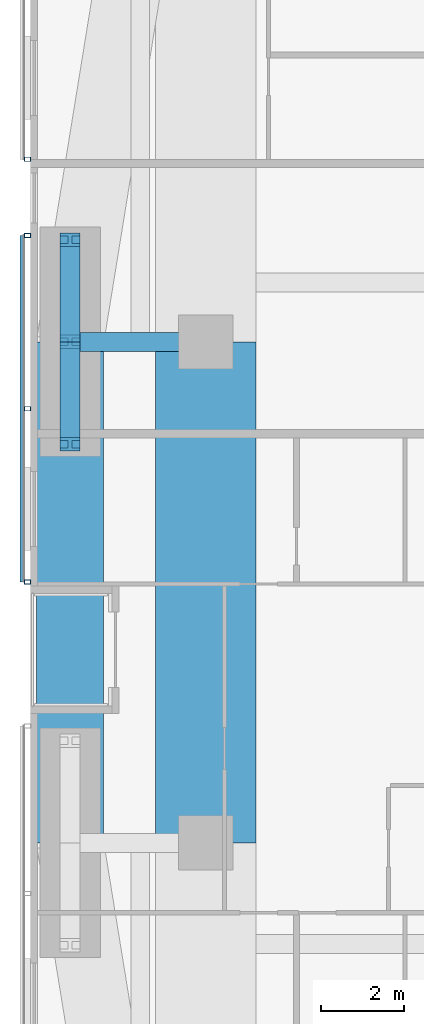
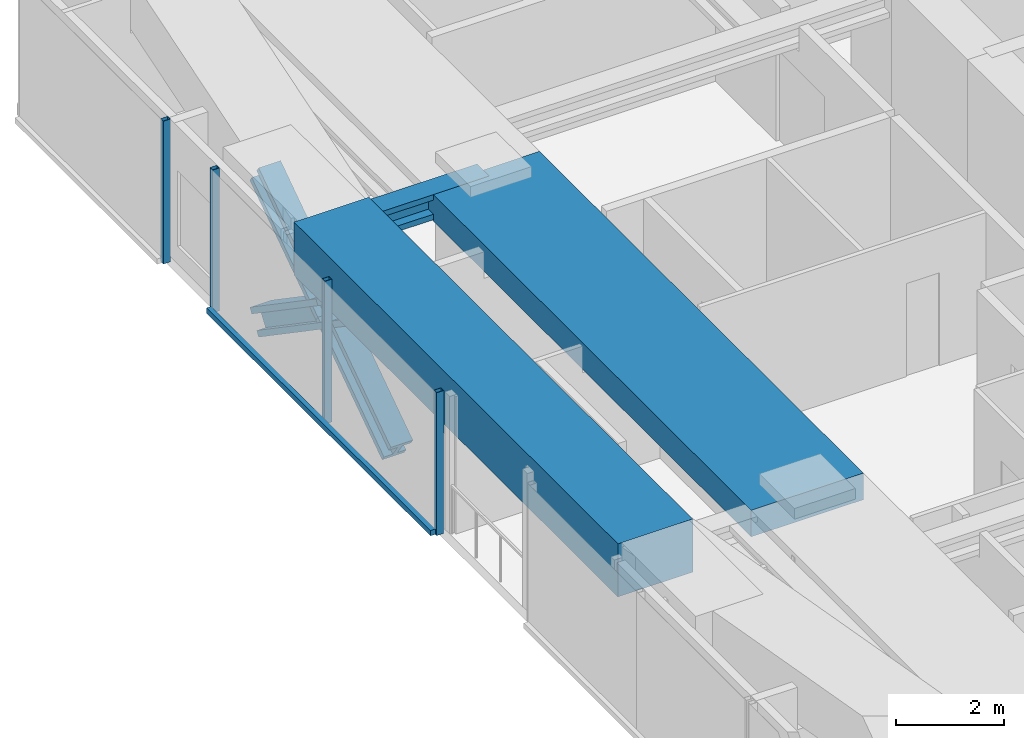
# One storey, part 6 of 23: 9 members, 3 beams, 2 elements without a shape of their own.
"""IFC4 building model written with IfcOpenShell, lengths in metres."""

from ifc_helpers import new_model, si_unit, direction, frame, origin, origin_2d, place, context, subcontext, project, spatial, rectangle, hollow_rectangle, i_section, extrude, material, material_profile, profile_set, type_object, element, aggregate, save


model = new_model("IFC4")

# Units and contexts
model_context = context("Model", 3, precision=1e-05, world=origin(), true_north=direction((0.0, 1.0)))
body_context = subcontext(model_context, "Body", "Model", "MODEL_VIEW")
ifc_project = project(units=[si_unit("LENGTHUNIT", "METRE"), si_unit("AREAUNIT", "SQUARE_METRE"), si_unit("VOLUMEUNIT", "CUBIC_METRE"), si_unit("PLANEANGLEUNIT", "RADIAN"), si_unit("MASSUNIT", "GRAM", prefix="KILO")], contexts=[model_context])

# Site, building, storey
site_placement = place(None, origin())
site = spatial("IfcSite", under=ifc_project, at=site_placement, CompositionType="ELEMENT")
building_placement = place(site_placement, origin())
building = spatial("IfcBuilding", under=site, at=building_placement, Name="Jalousie Tower", CompositionType="ELEMENT")
storey_placement = place(building_placement, frame((0.0, 0.0, 108.199951171875)))
storey = spatial("IfcBuildingStorey", under=building, at=storey_placement, Name="L29", CompositionType="ELEMENT", Elevation=108.199951171875)

# Beam
ifc_material_1 = material(Name="Steel ASTM A992 Grade 50", Category="steel")
ifc_material_profile_1 = material_profile(ifc_material_1, i_section(OverallWidth=0.45458984375, OverallDepth=0.569091796875, WebThickness=0.077880859375, FlangeThickness=0.124755859375, at=origin_2d()), Name="W14X730")
ifc_profile_set_1 = profile_set([ifc_material_profile_1], Name="Steel ASTM A992 Grade 50")
beam_type_1 = type_object("IfcBeamType", Name="LEAN COLLECTOR W14X730", PredefinedType="BEAM", material=ifc_profile_set_1)
beam_1_placement = place(storey_placement, frame((6.949951171875, 25.0, 2.825439453125), z_axis=(1.0, 0.0, 0.0), x_axis=(0.0, 1.0, 0.0)))
element("IfcBeam", 1, at=beam_1_placement, inside=storey, type_object=beam_type_1, Name="Lean collector under L30", PredefinedType="BEAM", context=body_context, shape_type="SweptSolid", body=[
    extrude(i_section(OverallWidth=0.45458984375, OverallDepth=0.569091796875, WebThickness=0.077880859375, FlangeThickness=0.124755859375, at=origin_2d()), origin(), (0.0, 0.0, 1.0), 3.25),
])

# Members
ifc_material_2 = material(Name="Steel ASTM A992 Grade 50", Category="steel")
ifc_material_profile_2 = material_profile(ifc_material_2, i_section(OverallWidth=0.472412109375, OverallDepth=0.5791015625, WebThickness=0.094970703125, FlangeThickness=0.1298828125, at=origin_2d()), Name="W14X808")
ifc_profile_set_2 = profile_set([ifc_material_profile_2], Name="Steel ASTM A992 Grade 50")
member_type_1 = type_object("IfcMemberType", Name="PERIMETER BRACE W14X808", PredefinedType="BRACE", material=ifc_profile_set_2)
for number, where, z_axis, x_axis, name in (
    (2, (6.949951171875, 22.550048828125, -0.599853515625), (0.0, 0.825539243753, 0.564344714713), (-1.0, 0.0, 0.0), "Perimeter brace 13 L29 part 1"),
    (3, (6.949951171875, 25.0, 1.074951171875), (0.0, 0.825500916831, 0.564400776321), (-1.0, 0.0, 0.0), "Perimeter brace 13 L29 part 2"),
    (4, (6.949951171875, 27.449951171875, -0.599853515625), (0.0, -0.825539243753, 0.564344714713), (1.0, 0.0, 0.0), "Perimeter brace 13 L29 part 3"),
    (5, (6.949951171875, 25.0, 1.074951171875), (0.0, -0.825500916831, 0.564400776321), (1.0, 0.0, 0.0), "Perimeter brace 13 L29 part 4"),
):
    element("IfcMember", number, at=place(storey_placement, frame(where, z_axis=z_axis, x_axis=x_axis)), inside=storey, type_object=member_type_1, Name=name, PredefinedType="BRACE", context=body_context, shape_type="SweptSolid", body=[
        extrude(i_section(OverallWidth=0.472412109375, OverallDepth=0.5791015625, WebThickness=0.094970703125, FlangeThickness=0.1298828125, at=origin_2d()), origin(), (0.0, 0.0, 1.0), 2.9677734375),
    ])

# Beams
ifc_material_3 = material(Name="Concrete f'c 40 MPa", Category="concrete")
ifc_material_profile_3 = material_profile(ifc_material_3, rectangle(XDim=1.60009765625, YDim=1.199951171875, at=origin_2d()), Name="RC 1600x1200")
ifc_profile_set_3 = profile_set([ifc_material_profile_3], Name="Concrete f'c 40 MPa")
beam_type_2 = type_object("IfcBeamType", Name="RC BEAM 1600x1200", PredefinedType="BEAM", material=ifc_profile_set_3)
beam_2_placement = place(storey_placement, frame((6.949951171875, 25.0, 2.75), z_axis=(0.0, -1.0, 0.0), x_axis=(1.0, 0.0, 0.0)))
element("IfcBeam", 6, at=beam_2_placement, inside=storey, type_object=beam_type_2, Name="Edge band beam 13-14 under L30", PredefinedType="BEAM", context=body_context, shape_type="SweptSolid", body=[
    extrude(rectangle(XDim=1.60009765625, YDim=1.199951171875, at=origin_2d()), origin(), (0.0, 0.0, 1.0), 12.0),
])
ifc_material_4 = material(Name="Concrete f'c 40 MPa", Category="concrete")
ifc_material_profile_4 = material_profile(ifc_material_4, rectangle(XDim=2.39990234375, YDim=0.60009765625, at=origin_2d()), Name="RC 2400x600")
ifc_profile_set_4 = profile_set([ifc_material_profile_4], Name="Concrete f'c 40 MPa")
beam_type_3 = type_object("IfcBeamType", Name="RC BEAM 2400x600", PredefinedType="BEAM", material=ifc_profile_set_4)
beam_3_placement = place(storey_placement, frame((10.199951171875, 13.0, 2.81005859375), z_axis=(0.0, 1.0, 0.0), x_axis=(-1.0, 0.0, 0.0)))
element("IfcBeam", 7, at=beam_3_placement, inside=storey, type_object=beam_type_3, Name="Floor band beam under L30", PredefinedType="BEAM", context=body_context, shape_type="SweptSolid", body=[
    extrude(rectangle(XDim=2.39990234375, YDim=0.60009765625, at=origin_2d()), origin(), (0.0, 0.0, 1.0), 12.0),
])

# Curtain wall, member
ifc_material_5 = material(Name="Perforated aluminium sheet", Category="aluminium")
curtain_wall_type = type_object("IfcCurtainWallType", Name="SOLAR SCREEN SS-1", PredefinedType="USERDEFINED", material=ifc_material_5)
curtain_wall_1_placement = place(storey_placement, origin())
curtain_wall_1 = element("IfcCurtainWall", 8, at=curtain_wall_1_placement, inside=storey, type_object=curtain_wall_type, Name="Solar screen L29", ObjectType="SOLAR SCREEN SS-1", PredefinedType="USERDEFINED")
ifc_material_6 = material(Name="Steel ASTM A500 Grade C", Category="steel")
ifc_material_profile_5 = material_profile(ifc_material_6, hollow_rectangle(XDim=0.1015625, YDim=0.15234375, WallThickness=0.00634765625, at=origin_2d()), Name="HSS6X4X1/4")
ifc_profile_set_5 = profile_set([ifc_material_profile_5], Name="Steel ASTM A500 Grade C")
member_type_2 = type_object("IfcMemberType", Name="SOLAR SCREEN SS-1 MULLION", PredefinedType="MULLION", material=ifc_profile_set_5)
member_1_placement = place(storey_placement, frame((5.9287109375, 29.375, -0.119873046875), z_axis=(0.0, 0.0, 1.0), x_axis=(0.0, -1.0, 0.0)))
member_1 = element("IfcMember", 9, at=member_1_placement, type_object=member_type_2, Name="SS1 post 2", PredefinedType="MULLION", context=body_context, shape_type="SweptSolid", body=[
    extrude(hollow_rectangle(XDim=0.1015625, YDim=0.15234375, WallThickness=0.00634765625, at=origin_2d()), origin(), (0.0, 0.0, 1.0), 3.22998046875),
])
aggregate(curtain_wall_1, [member_1])

# Curtain wall, members
curtain_wall_2_placement = place(storey_placement, origin())
curtain_wall_2 = element("IfcCurtainWall", 10, at=curtain_wall_2_placement, inside=storey, type_object=curtain_wall_type, Name="Solar screen L29", ObjectType="SOLAR SCREEN SS-1", PredefinedType="USERDEFINED")
member_2_placement = place(storey_placement, frame((5.9287109375, 27.550048828125, -0.119873046875), z_axis=(0.0, 0.0, 1.0), x_axis=(0.0, -1.0, 0.0)))
member_2 = element("IfcMember", 11, at=member_2_placement, type_object=member_type_2, Name="SS1 post 1", PredefinedType="MULLION", context=body_context, shape_type="SweptSolid", body=[
    extrude(hollow_rectangle(XDim=0.1015625, YDim=0.15234375, WallThickness=0.00634765625, at=origin_2d()), origin(), (0.0, 0.0, 1.0), 3.22998046875),
])
member_3_placement = place(storey_placement, frame((5.9287109375, 23.39990234375, -0.119873046875), z_axis=(0.0, 0.0, 1.0), x_axis=(0.0, -1.0, 0.0)))
member_3 = element("IfcMember", 12, at=member_3_placement, type_object=member_type_2, Name="SS1 post 2", PredefinedType="MULLION", context=body_context, shape_type="SweptSolid", body=[
    extrude(hollow_rectangle(XDim=0.1015625, YDim=0.15234375, WallThickness=0.00634765625, at=origin_2d()), origin(), (0.0, 0.0, 1.0), 3.22998046875),
])
member_4_placement = place(storey_placement, frame((5.9287109375, 19.25, -0.119873046875), z_axis=(0.0, 0.0, 1.0), x_axis=(0.0, -1.0, 0.0)))
member_4 = element("IfcMember", 13, at=member_4_placement, type_object=member_type_2, Name="SS1 post 3", PredefinedType="MULLION", context=body_context, shape_type="SweptSolid", body=[
    extrude(hollow_rectangle(XDim=0.1015625, YDim=0.15234375, WallThickness=0.00634765625, at=origin_2d()), origin(), (0.0, 0.0, 1.0), 3.22998046875),
])
ifc_material_7 = material(Name="Extruded aluminium screen rail", Category="aluminium")
ifc_material_profile_6 = material_profile(ifc_material_7, rectangle(XDim=0.1015625, YDim=0.1201171875, at=origin_2d()), Name="RAIL 102x120")
ifc_profile_set_6 = profile_set([ifc_material_profile_6], Name="Extruded aluminium screen rail")
member_type_3 = type_object("IfcMemberType", Name="SOLAR SCREEN SS-1 TRANSOM", PredefinedType="USERDEFINED", material=ifc_profile_set_6)
member_5_placement = place(storey_placement, frame((5.8017578125, 27.550048828125, -0.06005859375), z_axis=(0.0, -1.0, 0.0), x_axis=(1.0, 0.0, 0.0)))
member_5 = element("IfcMember", 14, at=member_5_placement, type_object=member_type_3, Name="SS1 rail", ObjectType="TRANSOM", PredefinedType="USERDEFINED", context=body_context, shape_type="SweptSolid", body=[
    extrude(rectangle(XDim=0.1015625, YDim=0.1201171875, at=origin_2d()), origin(), (0.0, 0.0, 1.0), 8.300048828125),
])
aggregate(curtain_wall_2, [member_2, member_3, member_4, member_5])

save(model, "model.ifc")
